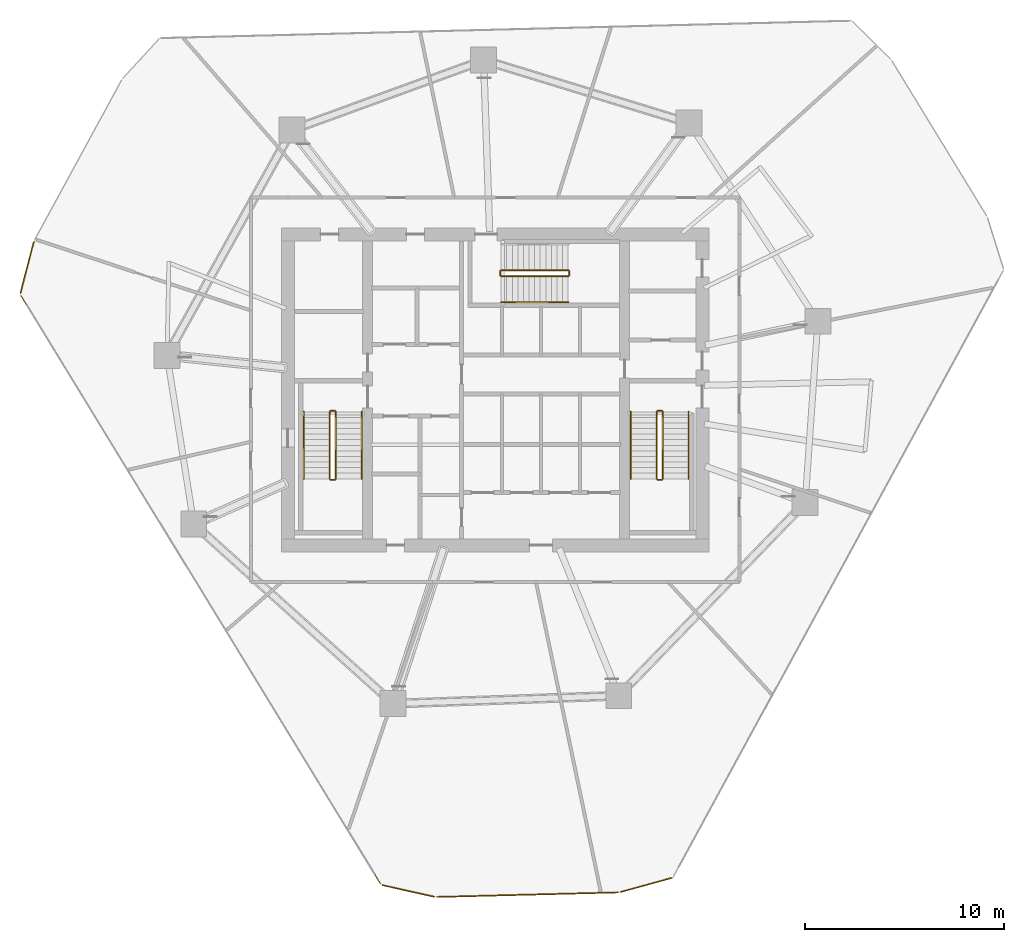
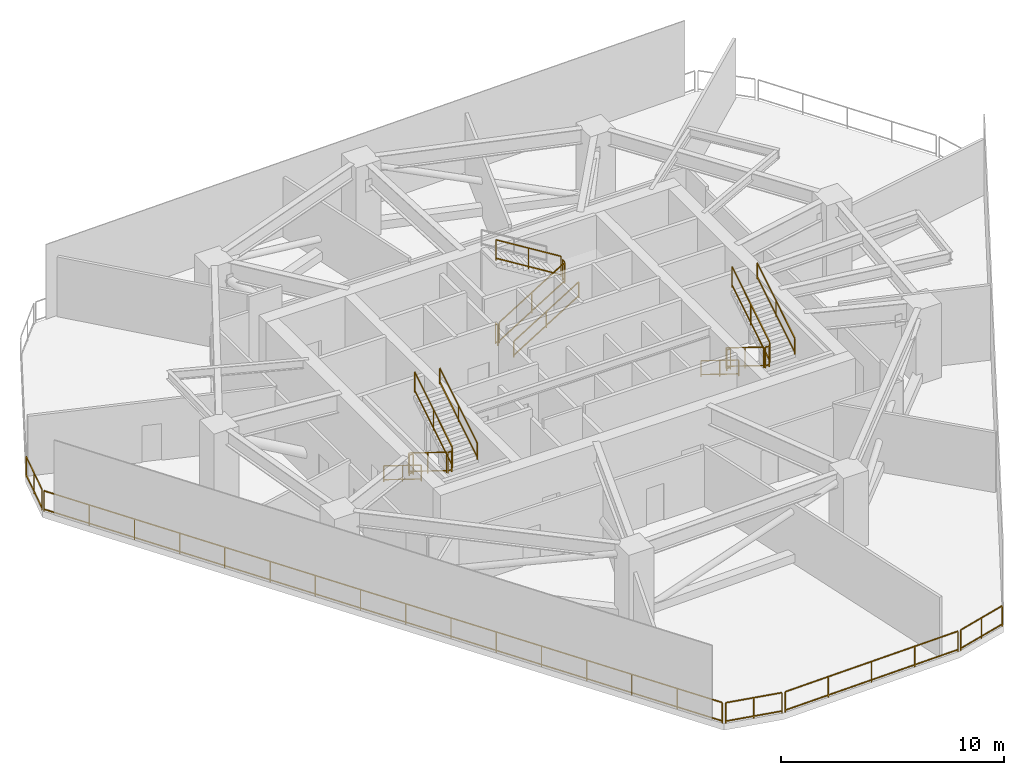
# One storey, part 6 of 7: 22 railings.
"""IFC4 building model written with IfcOpenShell, lengths in metres."""

from ifc_helpers import new_model, si_unit, direction, frame, origin, origin_2d, place, context, subcontext, project, spatial, rectangle, extrude, material, type_object, element, save


model = new_model("IFC4")

# Units and contexts
model_context = context("Model", 3, precision=1e-05, world=origin(), true_north=direction((0.0, 1.0)))
body_context = subcontext(model_context, "Body", "Model", "MODEL_VIEW")
ifc_project = project(units=[si_unit("LENGTHUNIT", "METRE"), si_unit("AREAUNIT", "SQUARE_METRE"), si_unit("VOLUMEUNIT", "CUBIC_METRE"), si_unit("PLANEANGLEUNIT", "RADIAN"), si_unit("MASSUNIT", "GRAM", prefix="KILO")], contexts=[model_context])

# Site, building, storey
site_placement = place(None, origin())
site = spatial("IfcSite", under=ifc_project, at=site_placement, CompositionType="ELEMENT")
building_placement = place(site_placement, origin())
building = spatial("IfcBuilding", under=site, at=building_placement, Name="Qarnah Convention Tower", CompositionType="ELEMENT")
storey_placement = place(building_placement, frame((0.0, 0.0, 71.85009765625)))
storey = spatial("IfcBuildingStorey", under=building, at=storey_placement, Name="L18", CompositionType="ELEMENT", Elevation=71.85009765625)

# Railings
ifc_material_1 = material(Name="Black anodised aluminium", Category="aluminium")
railing_type_1 = type_object("IfcRailingType", Name="RL-EXT-GUARD-1150", PredefinedType="GUARDRAIL", material=ifc_material_1)
railing_1_placement = place(storey_placement, frame((46.052001953125, 1.912109375, 0.0)))
element("IfcRailing", 1, at=railing_1_placement, inside=storey, type_object=railing_type_1, Name="L18 open refuge and plant deck perimeter guard 04", PredefinedType="GUARDRAIL", context=body_context, shape_type="SweptSolid", body=[
    extrude(rectangle(XDim=0.048095703125, YDim=0.048095703125, at=origin_2d()), frame((0.0, 0.0, 1.1259765625), z_axis=(-0.963887916659, -0.26630825019, 0.0), x_axis=(0.26630825019, -0.963887916659, 0.0)), (0.0, 0.0, 1.0), 2.640380859375),
    extrude(rectangle(XDim=0.048095703125, YDim=0.048095703125, at=origin_2d()), frame((0.0, 0.0, 0.1201171875), z_axis=(-0.963887916659, -0.26630825019, 0.0), x_axis=(0.26630825019, -0.963887916659, 0.0)), (0.0, 0.0, 1.0), 2.640380859375),
    extrude(rectangle(XDim=0.0419921875, YDim=0.0419921875, at=origin_2d()), origin(), (0.0, 0.0, 1.0), 1.101806640625),
    extrude(rectangle(XDim=0.0419921875, YDim=0.0419921875, at=origin_2d()), frame((-1.2724609375, -0.3515625, 0.0)), (0.0, 0.0, 1.0), 1.101806640625),
    extrude(rectangle(XDim=0.0419921875, YDim=0.0419921875, at=origin_2d()), frame((-2.544921875, -0.703125, 0.0)), (0.0, 0.0, 1.0), 1.101806640625),
])
railing_2_placement = place(storey_placement, frame((43.35009765625, 1.18603515625, 0.0)))
element("IfcRailing", 2, at=railing_2_placement, inside=storey, type_object=railing_type_1, Name="L18 open refuge and plant deck perimeter guard 05", PredefinedType="GUARDRAIL", context=body_context, shape_type="SweptSolid", body=[
    extrude(rectangle(XDim=0.048095703125, YDim=0.048095703125, at=origin_2d()), frame((0.0, 0.0, 1.1259765625), z_axis=(-0.999683425755, -0.025160450543, 0.0), x_axis=(0.025160450543, -0.999683425755, 0.0)), (0.0, 0.0, 1.0), 9.06298828125),
    extrude(rectangle(XDim=0.048095703125, YDim=0.048095703125, at=origin_2d()), frame((0.0, 0.0, 0.1201171875), z_axis=(-0.999683425755, -0.025160450543, 0.0), x_axis=(0.025160450543, -0.999683425755, 0.0)), (0.0, 0.0, 1.0), 9.06298828125),
    extrude(rectangle(XDim=0.0419921875, YDim=0.0419921875, at=origin_2d()), origin(), (0.0, 0.0, 1.0), 1.101806640625),
    extrude(rectangle(XDim=0.0419921875, YDim=0.0419921875, at=origin_2d()), frame((-2.26513671875, -0.05712890625, 0.0)), (0.0, 0.0, 1.0), 1.101806640625),
    extrude(rectangle(XDim=0.0419921875, YDim=0.0419921875, at=origin_2d()), frame((-4.530029296875, -0.114013671875, 0.0)), (0.0, 0.0, 1.0), 1.101806640625),
    extrude(rectangle(XDim=0.0419921875, YDim=0.0419921875, at=origin_2d()), frame((-6.794921875, -0.1708984375, 0.0)), (0.0, 0.0, 1.0), 1.101806640625),
    extrude(rectangle(XDim=0.0419921875, YDim=0.0419921875, at=origin_2d()), frame((-9.06005859375, -0.22802734375, 0.0)), (0.0, 0.0, 1.0), 1.101806640625),
])
railing_3_placement = place(storey_placement, frame((34.132080078125, 0.972900390625, 0.0)))
element("IfcRailing", 3, at=railing_3_placement, inside=storey, type_object=railing_type_1, Name="L18 open refuge and plant deck perimeter guard 06", PredefinedType="GUARDRAIL", context=body_context, shape_type="SweptSolid", body=[
    extrude(rectangle(XDim=0.048095703125, YDim=0.048095703125, at=origin_2d()), frame((0.0, 0.0, 1.1259765625), z_axis=(-0.975968942198, 0.21790966905, 0.0), x_axis=(-0.21790966905, -0.975968942198, 0.0)), (0.0, 0.0, 1.0), 2.6396484375),
    extrude(rectangle(XDim=0.048095703125, YDim=0.048095703125, at=origin_2d()), frame((0.0, 0.0, 0.1201171875), z_axis=(-0.975968942198, 0.21790966905, 0.0), x_axis=(-0.21790966905, -0.975968942198, 0.0)), (0.0, 0.0, 1.0), 2.6396484375),
    extrude(rectangle(XDim=0.0419921875, YDim=0.0419921875, at=origin_2d()), origin(), (0.0, 0.0, 1.0), 1.101806640625),
    extrude(rectangle(XDim=0.0419921875, YDim=0.0419921875, at=origin_2d()), frame((-1.2880859375, 0.28759765625, 0.0)), (0.0, 0.0, 1.0), 1.101806640625),
    extrude(rectangle(XDim=0.0419921875, YDim=0.0419921875, at=origin_2d()), frame((-2.576171875, 0.5751953125, 0.0)), (0.0, 0.0, 1.0), 1.101806640625),
])
railing_4_placement = place(storey_placement, frame((31.43603515625, 1.633056640625, 0.0)))
element("IfcRailing", 4, at=railing_4_placement, inside=storey, type_object=railing_type_1, Name="L18 open refuge and plant deck perimeter guard 07", PredefinedType="GUARDRAIL", context=body_context, shape_type="SweptSolid", body=[
    extrude(rectangle(XDim=0.048095703125, YDim=0.048095703125, at=origin_2d()), frame((0.0, 0.0, 1.1259765625), z_axis=(-0.521602298865, 0.853188749233, 0.0), x_axis=(-0.853188749233, -0.521602298865, 0.0)), (0.0, 0.0, 1.0), 34.56103515625),
    extrude(rectangle(XDim=0.048095703125, YDim=0.048095703125, at=origin_2d()), frame((0.0, 0.0, 0.1201171875), z_axis=(-0.521602298865, 0.853188749233, 0.0), x_axis=(-0.853188749233, -0.521602298865, 0.0)), (0.0, 0.0, 1.0), 34.56103515625),
    extrude(rectangle(XDim=0.0419921875, YDim=0.0419921875, at=origin_2d()), origin(), (0.0, 0.0, 1.0), 1.101806640625),
    extrude(rectangle(XDim=0.0419921875, YDim=0.0419921875, at=origin_2d()), frame((-1.201904296875, 1.9658203125, 0.0)), (0.0, 0.0, 1.0), 1.101806640625),
    extrude(rectangle(XDim=0.0419921875, YDim=0.0419921875, at=origin_2d()), frame((-2.403564453125, 3.931640625, 0.0)), (0.0, 0.0, 1.0), 1.101806640625),
    extrude(rectangle(XDim=0.0419921875, YDim=0.0419921875, at=origin_2d()), frame((-3.60546875, 5.8974609375, 0.0)), (0.0, 0.0, 1.0), 1.101806640625),
    extrude(rectangle(XDim=0.0419921875, YDim=0.0419921875, at=origin_2d()), frame((-4.80712890625, 7.86328125, 0.0)), (0.0, 0.0, 1.0), 1.101806640625),
    extrude(rectangle(XDim=0.0419921875, YDim=0.0419921875, at=origin_2d()), frame((-6.009033203125, 9.8291015625, 0.0)), (0.0, 0.0, 1.0), 1.101806640625),
    extrude(rectangle(XDim=0.0419921875, YDim=0.0419921875, at=origin_2d()), frame((-7.2109375, 11.794921875, 0.0)), (0.0, 0.0, 1.0), 1.101806640625),
    extrude(rectangle(XDim=0.0419921875, YDim=0.0419921875, at=origin_2d()), frame((-8.41259765625, 13.7607421875, 0.0)), (0.0, 0.0, 1.0), 1.101806640625),
    extrude(rectangle(XDim=0.0419921875, YDim=0.0419921875, at=origin_2d()), frame((-9.614501953125, 15.726318359375, 0.0)), (0.0, 0.0, 1.0), 1.101806640625),
    extrude(rectangle(XDim=0.0419921875, YDim=0.0419921875, at=origin_2d()), frame((-10.816162109375, 17.692138671875, 0.0)), (0.0, 0.0, 1.0), 1.101806640625),
    extrude(rectangle(XDim=0.0419921875, YDim=0.0419921875, at=origin_2d()), frame((-12.01806640625, 19.657958984375, 0.0)), (0.0, 0.0, 1.0), 1.101806640625),
    extrude(rectangle(XDim=0.0419921875, YDim=0.0419921875, at=origin_2d()), frame((-13.219970703125, 21.623779296875, 0.0)), (0.0, 0.0, 1.0), 1.101806640625),
    extrude(rectangle(XDim=0.0419921875, YDim=0.0419921875, at=origin_2d()), frame((-14.421630859375, 23.589599609375, 0.0)), (0.0, 0.0, 1.0), 1.101806640625),
    extrude(rectangle(XDim=0.0419921875, YDim=0.0419921875, at=origin_2d()), frame((-15.62353515625, 25.555419921875, 0.0)), (0.0, 0.0, 1.0), 1.101806640625),
    extrude(rectangle(XDim=0.0419921875, YDim=0.0419921875, at=origin_2d()), frame((-16.8251953125, 27.521240234375, 0.0)), (0.0, 0.0, 1.0), 1.101806640625),
    extrude(rectangle(XDim=0.0419921875, YDim=0.0419921875, at=origin_2d()), frame((-18.027099609375, 29.487060546875, 0.0)), (0.0, 0.0, 1.0), 1.101806640625),
])
railing_5_placement = place(storey_placement, frame((13.386962890625, 31.264892578125, 0.0)))
element("IfcRailing", 5, at=railing_5_placement, inside=storey, type_object=railing_type_1, Name="L18 open refuge and plant deck perimeter guard 08", PredefinedType="GUARDRAIL", context=body_context, shape_type="SweptSolid", body=[
    extrude(rectangle(XDim=0.048095703125, YDim=0.048095703125, at=origin_2d()), frame((0.0, 0.0, 1.1259765625), z_axis=(0.251443351107, 0.967872016944, 0.0), x_axis=(-0.967872016944, 0.251443351107, 0.0)), (0.0, 0.0, 1.0), 2.64111328125),
    extrude(rectangle(XDim=0.048095703125, YDim=0.048095703125, at=origin_2d()), frame((0.0, 0.0, 0.1201171875), z_axis=(0.251443351107, 0.967872016944, 0.0), x_axis=(-0.967872016944, 0.251443351107, 0.0)), (0.0, 0.0, 1.0), 2.64111328125),
    extrude(rectangle(XDim=0.0419921875, YDim=0.0419921875, at=origin_2d()), origin(), (0.0, 0.0, 1.0), 1.101806640625),
    extrude(rectangle(XDim=0.0419921875, YDim=0.0419921875, at=origin_2d()), frame((0.33203125, 1.278076171875, 0.0)), (0.0, 0.0, 1.0), 1.101806640625),
    extrude(rectangle(XDim=0.0419921875, YDim=0.0419921875, at=origin_2d()), frame((0.6640625, 2.55615234375, 0.0)), (0.0, 0.0, 1.0), 1.101806640625),
])
ifc_material_2 = material(Name="Structural steel S355JR", Category="steel")
railing_type_2 = type_object("IfcRailingType", Name="RL-STAIR-GUARD-1150", PredefinedType="GUARDRAIL", material=ifc_material_2)
railing_6_placement = place(storey_placement, frame((28.89990234375, 25.300048828125, 0.173095703125)))
element("IfcRailing", 6, at=railing_6_placement, inside=storey, type_object=railing_type_2, Name="L18 ST-1 stair guard 1", PredefinedType="GUARDRAIL", context=body_context, shape_type="SweptSolid", body=[
    extrude(rectangle(XDim=0.048095703125, YDim=0.048095703125, at=origin_2d()), frame((0.0, 0.0, 1.1259765625), z_axis=(0.0, -0.850623216509, 0.525775754039), x_axis=(1.0, 0.0, 0.0)), (0.0, 0.0, 1.0), 3.9501953125),
    extrude(rectangle(XDim=0.048095703125, YDim=0.048095703125, at=origin_2d()), frame((0.0, 0.0, 0.1201171875), z_axis=(0.0, -0.850623216509, 0.525775754039), x_axis=(1.0, 0.0, 0.0)), (0.0, 0.0, 1.0), 3.9501953125),
    extrude(rectangle(XDim=0.0419921875, YDim=0.0419921875, at=origin_2d()), origin(), (0.0, 0.0, 1.0), 1.101806640625),
    extrude(rectangle(XDim=0.0419921875, YDim=0.0419921875, at=origin_2d()), frame((0.0, -1.68017578125, 1.03857421875)), (0.0, 0.0, 1.0), 1.101806640625),
    extrude(rectangle(XDim=0.0419921875, YDim=0.0419921875, at=origin_2d()), frame((0.0, -3.360107421875, 2.076904296875)), (0.0, 0.0, 1.0), 1.101806640625),
])
railing_7_placement = place(storey_placement, frame((28.949951171875, 21.889892578125, 2.25)))
element("IfcRailing", 7, at=railing_7_placement, inside=storey, type_object=railing_type_2, Name="L18 ST-1 stair guard 2", PredefinedType="GUARDRAIL", context=body_context, shape_type="SweptSolid", body=[
    extrude(rectangle(XDim=0.048095703125, YDim=0.048095703125, at=origin_2d()), frame((0.0, 0.0, 1.1259765625), z_axis=(1.0, 0.0, 0.0), x_axis=(0.0, 1.0, 0.0)), (0.0, 0.0, 1.0), 0.199951171875),
    extrude(rectangle(XDim=0.048095703125, YDim=0.048095703125, at=origin_2d()), frame((0.0, 0.0, 0.1201171875), z_axis=(1.0, 0.0, 0.0), x_axis=(0.0, 1.0, 0.0)), (0.0, 0.0, 1.0), 0.199951171875),
    extrude(rectangle(XDim=0.0419921875, YDim=0.0419921875, at=origin_2d()), origin(), (0.0, 0.0, 1.0), 1.101806640625),
    extrude(rectangle(XDim=0.0419921875, YDim=0.0419921875, at=origin_2d()), frame((0.199951171875, 0.0, 0.0)), (0.0, 0.0, 1.0), 1.101806640625),
])
railing_8_placement = place(storey_placement, frame((29.199951171875, 21.93994140625, 2.423095703125)))
element("IfcRailing", 8, at=railing_8_placement, inside=storey, type_object=railing_type_2, Name="L18 ST-1 stair guard 3", PredefinedType="GUARDRAIL", context=body_context, shape_type="SweptSolid", body=[
    extrude(rectangle(XDim=0.048095703125, YDim=0.048095703125, at=origin_2d()), frame((0.0, 0.0, 1.1259765625), z_axis=(0.0, 0.850623216509, 0.525775754039), x_axis=(-1.0, 0.0, 0.0)), (0.0, 0.0, 1.0), 3.9501953125),
    extrude(rectangle(XDim=0.048095703125, YDim=0.048095703125, at=origin_2d()), frame((0.0, 0.0, 0.1201171875), z_axis=(0.0, 0.850623216509, 0.525775754039), x_axis=(-1.0, 0.0, 0.0)), (0.0, 0.0, 1.0), 3.9501953125),
    extrude(rectangle(XDim=0.0419921875, YDim=0.0419921875, at=origin_2d()), origin(), (0.0, 0.0, 1.0), 1.101806640625),
    extrude(rectangle(XDim=0.0419921875, YDim=0.0419921875, at=origin_2d()), frame((0.0, 1.68017578125, 1.03857421875)), (0.0, 0.0, 1.0), 1.101806640625),
    extrude(rectangle(XDim=0.0419921875, YDim=0.0419921875, at=origin_2d()), frame((0.0, 3.360107421875, 2.076904296875)), (0.0, 0.0, 1.0), 1.101806640625),
])
railing_9_placement = place(storey_placement, frame((28.949951171875, 25.35009765625, 0.0)))
element("IfcRailing", 9, at=railing_9_placement, inside=storey, type_object=railing_type_2, Name="L18 ST-1 stair guard 4", PredefinedType="GUARDRAIL", context=body_context, shape_type="SweptSolid", body=[
    extrude(rectangle(XDim=0.048095703125, YDim=0.048095703125, at=origin_2d()), frame((0.0, 0.0, 1.1259765625), z_axis=(1.0, 0.0, 0.0), x_axis=(0.0, 1.0, 0.0)), (0.0, 0.0, 1.0), 0.199951171875),
    extrude(rectangle(XDim=0.048095703125, YDim=0.048095703125, at=origin_2d()), frame((0.0, 0.0, 0.1201171875), z_axis=(1.0, 0.0, 0.0), x_axis=(0.0, 1.0, 0.0)), (0.0, 0.0, 1.0), 0.199951171875),
    extrude(rectangle(XDim=0.0419921875, YDim=0.0419921875, at=origin_2d()), origin(), (0.0, 0.0, 1.0), 1.101806640625),
    extrude(rectangle(XDim=0.0419921875, YDim=0.0419921875, at=origin_2d()), frame((0.199951171875, 0.0, 0.0)), (0.0, 0.0, 1.0), 1.101806640625),
])
railing_10_placement = place(storey_placement, frame((45.300048828125, 25.300048828125, 0.173095703125)))
element("IfcRailing", 10, at=railing_10_placement, inside=storey, type_object=railing_type_2, Name="L18 ST-2 stair guard 1", PredefinedType="GUARDRAIL", context=body_context, shape_type="SweptSolid", body=[
    extrude(rectangle(XDim=0.048095703125, YDim=0.048095703125, at=origin_2d()), frame((0.0, 0.0, 1.1259765625), z_axis=(0.0, -0.850623216509, 0.525775754039), x_axis=(1.0, 0.0, 0.0)), (0.0, 0.0, 1.0), 3.9501953125),
    extrude(rectangle(XDim=0.048095703125, YDim=0.048095703125, at=origin_2d()), frame((0.0, 0.0, 0.1201171875), z_axis=(0.0, -0.850623216509, 0.525775754039), x_axis=(1.0, 0.0, 0.0)), (0.0, 0.0, 1.0), 3.9501953125),
    extrude(rectangle(XDim=0.0419921875, YDim=0.0419921875, at=origin_2d()), origin(), (0.0, 0.0, 1.0), 1.101806640625),
    extrude(rectangle(XDim=0.0419921875, YDim=0.0419921875, at=origin_2d()), frame((0.0, -1.68017578125, 1.03857421875)), (0.0, 0.0, 1.0), 1.101806640625),
    extrude(rectangle(XDim=0.0419921875, YDim=0.0419921875, at=origin_2d()), frame((0.0, -3.360107421875, 2.076904296875)), (0.0, 0.0, 1.0), 1.101806640625),
])
railing_11_placement = place(storey_placement, frame((45.35009765625, 21.889892578125, 2.25)))
element("IfcRailing", 11, at=railing_11_placement, inside=storey, type_object=railing_type_2, Name="L18 ST-2 stair guard 2", PredefinedType="GUARDRAIL", context=body_context, shape_type="SweptSolid", body=[
    extrude(rectangle(XDim=0.048095703125, YDim=0.048095703125, at=origin_2d()), frame((0.0, 0.0, 1.1259765625), z_axis=(1.0, 0.0, 0.0), x_axis=(0.0, 1.0, 0.0)), (0.0, 0.0, 1.0), 0.199951171875),
    extrude(rectangle(XDim=0.048095703125, YDim=0.048095703125, at=origin_2d()), frame((0.0, 0.0, 0.1201171875), z_axis=(1.0, 0.0, 0.0), x_axis=(0.0, 1.0, 0.0)), (0.0, 0.0, 1.0), 0.199951171875),
    extrude(rectangle(XDim=0.0419921875, YDim=0.0419921875, at=origin_2d()), origin(), (0.0, 0.0, 1.0), 1.101806640625),
    extrude(rectangle(XDim=0.0419921875, YDim=0.0419921875, at=origin_2d()), frame((0.199951171875, 0.0, 0.0)), (0.0, 0.0, 1.0), 1.101806640625),
])
railing_12_placement = place(storey_placement, frame((45.60009765625, 21.93994140625, 2.423095703125)))
element("IfcRailing", 12, at=railing_12_placement, inside=storey, type_object=railing_type_2, Name="L18 ST-2 stair guard 3", PredefinedType="GUARDRAIL", context=body_context, shape_type="SweptSolid", body=[
    extrude(rectangle(XDim=0.048095703125, YDim=0.048095703125, at=origin_2d()), frame((0.0, 0.0, 1.1259765625), z_axis=(0.0, 0.850623216509, 0.525775754039), x_axis=(-1.0, 0.0, 0.0)), (0.0, 0.0, 1.0), 3.9501953125),
    extrude(rectangle(XDim=0.048095703125, YDim=0.048095703125, at=origin_2d()), frame((0.0, 0.0, 0.1201171875), z_axis=(0.0, 0.850623216509, 0.525775754039), x_axis=(-1.0, 0.0, 0.0)), (0.0, 0.0, 1.0), 3.9501953125),
    extrude(rectangle(XDim=0.0419921875, YDim=0.0419921875, at=origin_2d()), origin(), (0.0, 0.0, 1.0), 1.101806640625),
    extrude(rectangle(XDim=0.0419921875, YDim=0.0419921875, at=origin_2d()), frame((0.0, 1.68017578125, 1.03857421875)), (0.0, 0.0, 1.0), 1.101806640625),
    extrude(rectangle(XDim=0.0419921875, YDim=0.0419921875, at=origin_2d()), frame((0.0, 3.360107421875, 2.076904296875)), (0.0, 0.0, 1.0), 1.101806640625),
])
railing_13_placement = place(storey_placement, frame((45.35009765625, 25.35009765625, 0.0)))
element("IfcRailing", 13, at=railing_13_placement, inside=storey, type_object=railing_type_2, Name="L18 ST-2 stair guard 4", PredefinedType="GUARDRAIL", context=body_context, shape_type="SweptSolid", body=[
    extrude(rectangle(XDim=0.048095703125, YDim=0.048095703125, at=origin_2d()), frame((0.0, 0.0, 1.1259765625), z_axis=(1.0, 0.0, 0.0), x_axis=(0.0, 1.0, 0.0)), (0.0, 0.0, 1.0), 0.199951171875),
    extrude(rectangle(XDim=0.048095703125, YDim=0.048095703125, at=origin_2d()), frame((0.0, 0.0, 0.1201171875), z_axis=(1.0, 0.0, 0.0), x_axis=(0.0, 1.0, 0.0)), (0.0, 0.0, 1.0), 0.199951171875),
    extrude(rectangle(XDim=0.0419921875, YDim=0.0419921875, at=origin_2d()), origin(), (0.0, 0.0, 1.0), 1.101806640625),
    extrude(rectangle(XDim=0.0419921875, YDim=0.0419921875, at=origin_2d()), frame((0.199951171875, 0.0, 0.0)), (0.0, 0.0, 1.0), 1.101806640625),
])
railing_14_placement = place(storey_placement, frame((37.5, 32.10009765625, 0.173095703125)))
element("IfcRailing", 14, at=railing_14_placement, inside=storey, type_object=railing_type_2, Name="L18 ST-3 stair guard 1", PredefinedType="GUARDRAIL", context=body_context, shape_type="SweptSolid", body=[
    extrude(rectangle(XDim=0.048095703125, YDim=0.048095703125, at=origin_2d()), frame((0.0, 0.0, 1.1259765625), z_axis=(0.850623216509, 0.0, 0.525775754039), x_axis=(0.0, 1.0, 0.0)), (0.0, 0.0, 1.0), 3.9501953125),
    extrude(rectangle(XDim=0.048095703125, YDim=0.048095703125, at=origin_2d()), frame((0.0, 0.0, 0.1201171875), z_axis=(0.850623216509, 0.0, 0.525775754039), x_axis=(0.0, 1.0, 0.0)), (0.0, 0.0, 1.0), 3.9501953125),
    extrude(rectangle(XDim=0.0419921875, YDim=0.0419921875, at=origin_2d()), origin(), (0.0, 0.0, 1.0), 1.101806640625),
    extrude(rectangle(XDim=0.0419921875, YDim=0.0419921875, at=origin_2d()), frame((1.68017578125, 0.0, 1.03857421875)), (0.0, 0.0, 1.0), 1.101806640625),
    extrude(rectangle(XDim=0.0419921875, YDim=0.0419921875, at=origin_2d()), frame((3.360107421875, 0.0, 2.076904296875)), (0.0, 0.0, 1.0), 1.101806640625),
])
railing_15_placement = place(storey_placement, frame((40.909912109375, 32.14990234375, 2.25)))
element("IfcRailing", 15, at=railing_15_placement, inside=storey, type_object=railing_type_2, Name="L18 ST-3 stair guard 2", PredefinedType="GUARDRAIL", context=body_context, shape_type="SweptSolid", body=[
    extrude(rectangle(XDim=0.048095703125, YDim=0.048095703125, at=origin_2d()), frame((0.0, 0.0, 1.1259765625), z_axis=(0.0, 1.0, 0.0), x_axis=(-1.0, 0.0, 0.0)), (0.0, 0.0, 1.0), 0.2001953125),
    extrude(rectangle(XDim=0.048095703125, YDim=0.048095703125, at=origin_2d()), frame((0.0, 0.0, 0.1201171875), z_axis=(0.0, 1.0, 0.0), x_axis=(-1.0, 0.0, 0.0)), (0.0, 0.0, 1.0), 0.2001953125),
    extrude(rectangle(XDim=0.0419921875, YDim=0.0419921875, at=origin_2d()), origin(), (0.0, 0.0, 1.0), 1.101806640625),
    extrude(rectangle(XDim=0.0419921875, YDim=0.0419921875, at=origin_2d()), frame((0.0, 0.2001953125, 0.0)), (0.0, 0.0, 1.0), 1.101806640625),
])
railing_16_placement = place(storey_placement, frame((40.860107421875, 32.39990234375, 2.423095703125)))
element("IfcRailing", 16, at=railing_16_placement, inside=storey, type_object=railing_type_2, Name="L18 ST-3 stair guard 3", PredefinedType="GUARDRAIL", context=body_context, shape_type="SweptSolid", body=[
    extrude(rectangle(XDim=0.048095703125, YDim=0.048095703125, at=origin_2d()), frame((0.0, 0.0, 1.1259765625), z_axis=(-0.850623216509, 0.0, 0.525775754039), x_axis=(0.0, -1.0, 0.0)), (0.0, 0.0, 1.0), 3.9501953125),
    extrude(rectangle(XDim=0.048095703125, YDim=0.048095703125, at=origin_2d()), frame((0.0, 0.0, 0.1201171875), z_axis=(-0.850623216509, 0.0, 0.525775754039), x_axis=(0.0, -1.0, 0.0)), (0.0, 0.0, 1.0), 3.9501953125),
    extrude(rectangle(XDim=0.0419921875, YDim=0.0419921875, at=origin_2d()), origin(), (0.0, 0.0, 1.0), 1.101806640625),
    extrude(rectangle(XDim=0.0419921875, YDim=0.0419921875, at=origin_2d()), frame((-1.68017578125, 0.0, 1.03857421875)), (0.0, 0.0, 1.0), 1.101806640625),
    extrude(rectangle(XDim=0.0419921875, YDim=0.0419921875, at=origin_2d()), frame((-3.360107421875, 0.0, 2.076904296875)), (0.0, 0.0, 1.0), 1.101806640625),
])
railing_17_placement = place(storey_placement, frame((37.449951171875, 32.14990234375, 0.0)))
element("IfcRailing", 17, at=railing_17_placement, inside=storey, type_object=railing_type_2, Name="L18 ST-3 stair guard 4", PredefinedType="GUARDRAIL", context=body_context, shape_type="SweptSolid", body=[
    extrude(rectangle(XDim=0.048095703125, YDim=0.048095703125, at=origin_2d()), frame((0.0, 0.0, 1.1259765625), z_axis=(0.0, 1.0, 0.0), x_axis=(-1.0, 0.0, 0.0)), (0.0, 0.0, 1.0), 0.2001953125),
    extrude(rectangle(XDim=0.048095703125, YDim=0.048095703125, at=origin_2d()), frame((0.0, 0.0, 0.1201171875), z_axis=(0.0, 1.0, 0.0), x_axis=(-1.0, 0.0, 0.0)), (0.0, 0.0, 1.0), 0.2001953125),
    extrude(rectangle(XDim=0.0419921875, YDim=0.0419921875, at=origin_2d()), origin(), (0.0, 0.0, 1.0), 1.101806640625),
    extrude(rectangle(XDim=0.0419921875, YDim=0.0419921875, at=origin_2d()), frame((0.0, 0.2001953125, 0.0)), (0.0, 0.0, 1.0), 1.101806640625),
])
railing_type_3 = type_object("IfcRailingType", Name="RL-STAIR-HAND-900", PredefinedType="HANDRAIL", material=ifc_material_2)
railing_18_placement = place(storey_placement, frame((27.60009765625, 25.300048828125, 0.173095703125)))
element("IfcRailing", 18, at=railing_18_placement, inside=storey, type_object=railing_type_3, Name="L18 ST-1 stair handrail 1", PredefinedType="HANDRAIL", context=body_context, shape_type="SweptSolid", body=[
    extrude(rectangle(XDim=0.048095703125, YDim=0.048095703125, at=origin_2d()), frame((0.0, 0.0, 0.8759765625), z_axis=(0.0, -0.850623216509, 0.525775754039), x_axis=(1.0, 0.0, 0.0)), (0.0, 0.0, 1.0), 3.9501953125),
    extrude(rectangle(XDim=0.048095703125, YDim=0.048095703125, at=origin_2d()), frame((0.0, 0.0, 0.1201171875), z_axis=(0.0, -0.850623216509, 0.525775754039), x_axis=(1.0, 0.0, 0.0)), (0.0, 0.0, 1.0), 3.9501953125),
    extrude(rectangle(XDim=0.0419921875, YDim=0.0419921875, at=origin_2d()), origin(), (0.0, 0.0, 1.0), 0.851806640625),
    extrude(rectangle(XDim=0.0419921875, YDim=0.0419921875, at=origin_2d()), frame((0.0, -1.68017578125, 1.03857421875)), (0.0, 0.0, 1.0), 0.851806640625),
    extrude(rectangle(XDim=0.0419921875, YDim=0.0419921875, at=origin_2d()), frame((0.0, -3.360107421875, 2.076904296875)), (0.0, 0.0, 1.0), 0.851806640625),
])
railing_19_placement = place(storey_placement, frame((30.5, 21.93994140625, 2.423095703125)))
element("IfcRailing", 19, at=railing_19_placement, inside=storey, type_object=railing_type_3, Name="L18 ST-1 stair handrail 2", PredefinedType="HANDRAIL", context=body_context, shape_type="SweptSolid", body=[
    extrude(rectangle(XDim=0.048095703125, YDim=0.048095703125, at=origin_2d()), frame((0.0, 0.0, 0.8759765625), z_axis=(0.0, 0.850623216509, 0.525775754039), x_axis=(-1.0, 0.0, 0.0)), (0.0, 0.0, 1.0), 3.9501953125),
    extrude(rectangle(XDim=0.048095703125, YDim=0.048095703125, at=origin_2d()), frame((0.0, 0.0, 0.1201171875), z_axis=(0.0, 0.850623216509, 0.525775754039), x_axis=(-1.0, 0.0, 0.0)), (0.0, 0.0, 1.0), 3.9501953125),
    extrude(rectangle(XDim=0.0419921875, YDim=0.0419921875, at=origin_2d()), origin(), (0.0, 0.0, 1.0), 0.851806640625),
    extrude(rectangle(XDim=0.0419921875, YDim=0.0419921875, at=origin_2d()), frame((0.0, 1.68017578125, 1.03857421875)), (0.0, 0.0, 1.0), 0.851806640625),
    extrude(rectangle(XDim=0.0419921875, YDim=0.0419921875, at=origin_2d()), frame((0.0, 3.360107421875, 2.076904296875)), (0.0, 0.0, 1.0), 0.851806640625),
])
railing_20_placement = place(storey_placement, frame((44.0, 25.300048828125, 0.173095703125)))
element("IfcRailing", 20, at=railing_20_placement, inside=storey, type_object=railing_type_3, Name="L18 ST-2 stair handrail 1", PredefinedType="HANDRAIL", context=body_context, shape_type="SweptSolid", body=[
    extrude(rectangle(XDim=0.048095703125, YDim=0.048095703125, at=origin_2d()), frame((0.0, 0.0, 0.8759765625), z_axis=(0.0, -0.850623216509, 0.525775754039), x_axis=(1.0, 0.0, 0.0)), (0.0, 0.0, 1.0), 3.9501953125),
    extrude(rectangle(XDim=0.048095703125, YDim=0.048095703125, at=origin_2d()), frame((0.0, 0.0, 0.1201171875), z_axis=(0.0, -0.850623216509, 0.525775754039), x_axis=(1.0, 0.0, 0.0)), (0.0, 0.0, 1.0), 3.9501953125),
    extrude(rectangle(XDim=0.0419921875, YDim=0.0419921875, at=origin_2d()), origin(), (0.0, 0.0, 1.0), 0.851806640625),
    extrude(rectangle(XDim=0.0419921875, YDim=0.0419921875, at=origin_2d()), frame((0.0, -1.68017578125, 1.03857421875)), (0.0, 0.0, 1.0), 0.851806640625),
    extrude(rectangle(XDim=0.0419921875, YDim=0.0419921875, at=origin_2d()), frame((0.0, -3.360107421875, 2.076904296875)), (0.0, 0.0, 1.0), 0.851806640625),
])
railing_21_placement = place(storey_placement, frame((46.89990234375, 21.93994140625, 2.423095703125)))
element("IfcRailing", 21, at=railing_21_placement, inside=storey, type_object=railing_type_3, Name="L18 ST-2 stair handrail 2", PredefinedType="HANDRAIL", context=body_context, shape_type="SweptSolid", body=[
    extrude(rectangle(XDim=0.048095703125, YDim=0.048095703125, at=origin_2d()), frame((0.0, 0.0, 0.8759765625), z_axis=(0.0, 0.850623216509, 0.525775754039), x_axis=(-1.0, 0.0, 0.0)), (0.0, 0.0, 1.0), 3.9501953125),
    extrude(rectangle(XDim=0.048095703125, YDim=0.048095703125, at=origin_2d()), frame((0.0, 0.0, 0.1201171875), z_axis=(0.0, 0.850623216509, 0.525775754039), x_axis=(-1.0, 0.0, 0.0)), (0.0, 0.0, 1.0), 3.9501953125),
    extrude(rectangle(XDim=0.0419921875, YDim=0.0419921875, at=origin_2d()), origin(), (0.0, 0.0, 1.0), 0.851806640625),
    extrude(rectangle(XDim=0.0419921875, YDim=0.0419921875, at=origin_2d()), frame((0.0, 1.68017578125, 1.03857421875)), (0.0, 0.0, 1.0), 0.851806640625),
    extrude(rectangle(XDim=0.0419921875, YDim=0.0419921875, at=origin_2d()), frame((0.0, 3.360107421875, 2.076904296875)), (0.0, 0.0, 1.0), 0.851806640625),
])
railing_22_placement = place(storey_placement, frame((37.5, 30.800048828125, 0.173095703125)))
element("IfcRailing", 22, at=railing_22_placement, inside=storey, type_object=railing_type_3, Name="L18 ST-3 stair handrail 1", PredefinedType="HANDRAIL", context=body_context, shape_type="SweptSolid", body=[
    extrude(rectangle(XDim=0.048095703125, YDim=0.048095703125, at=origin_2d()), frame((0.0, 0.0, 0.8759765625), z_axis=(0.850623216509, 0.0, 0.525775754039), x_axis=(0.0, 1.0, 0.0)), (0.0, 0.0, 1.0), 3.9501953125),
    extrude(rectangle(XDim=0.048095703125, YDim=0.048095703125, at=origin_2d()), frame((0.0, 0.0, 0.1201171875), z_axis=(0.850623216509, 0.0, 0.525775754039), x_axis=(0.0, 1.0, 0.0)), (0.0, 0.0, 1.0), 3.9501953125),
    extrude(rectangle(XDim=0.0419921875, YDim=0.0419921875, at=origin_2d()), origin(), (0.0, 0.0, 1.0), 0.851806640625),
    extrude(rectangle(XDim=0.0419921875, YDim=0.0419921875, at=origin_2d()), frame((1.68017578125, 0.0, 1.03857421875)), (0.0, 0.0, 1.0), 0.851806640625),
    extrude(rectangle(XDim=0.0419921875, YDim=0.0419921875, at=origin_2d()), frame((3.360107421875, 0.0, 2.076904296875)), (0.0, 0.0, 1.0), 0.851806640625),
])

save(model, "model.ifc")
